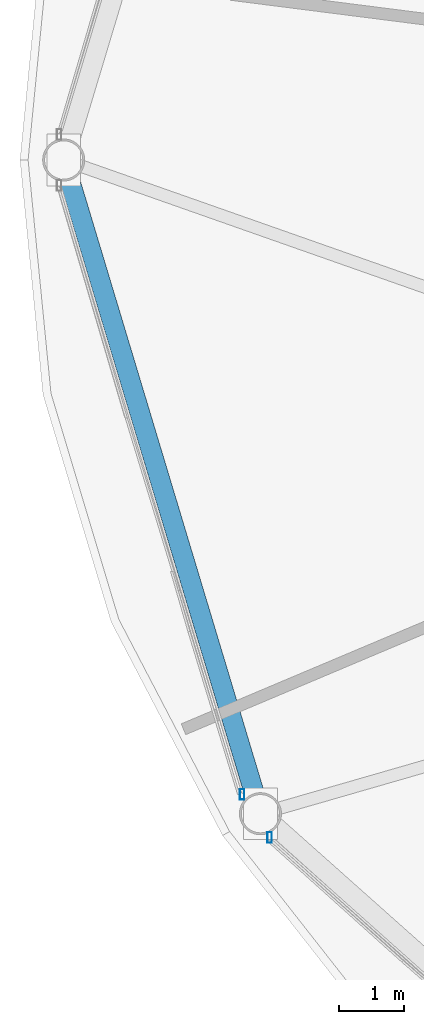
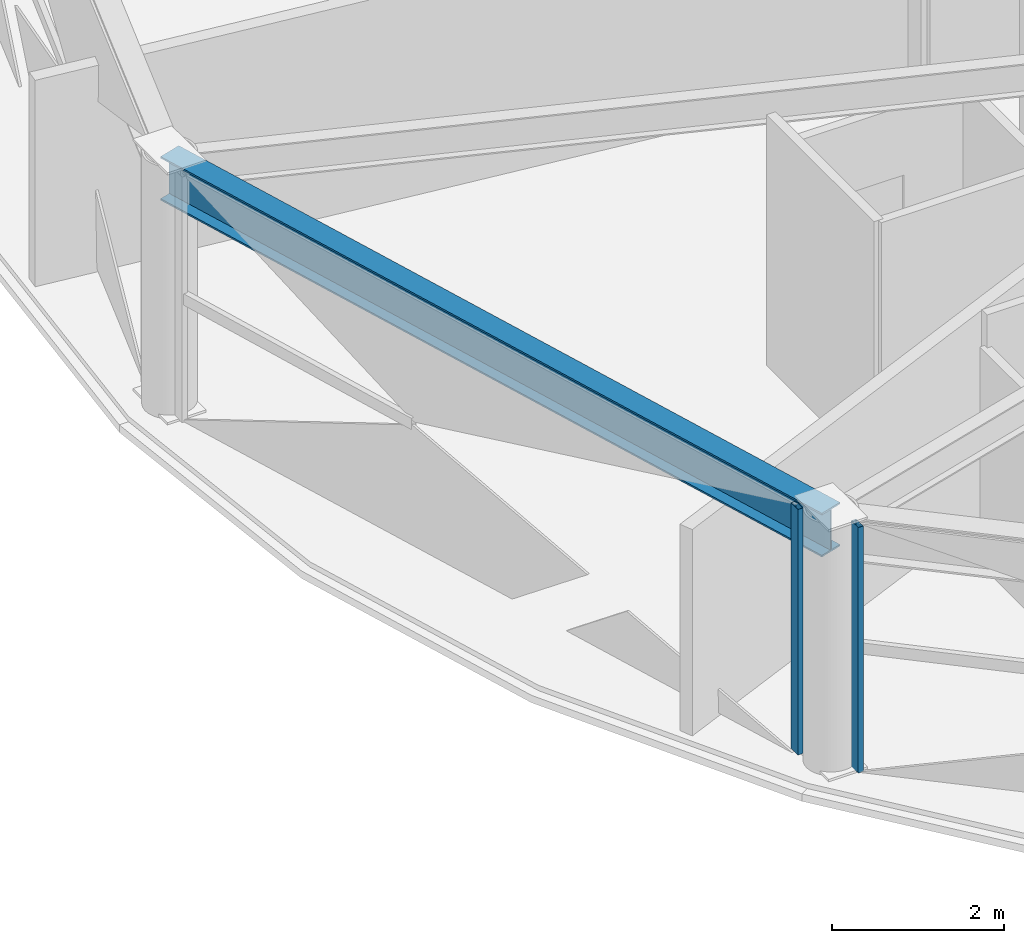
# One storey, part 3 of 30: 2 members, 1 beam, 2 elements without a shape of their own.
"""IFC4 building model written with IfcOpenShell, lengths in metres."""

from ifc_helpers import new_model, si_unit, direction, frame, origin, origin_2d, place, context, subcontext, project, spatial, hollow_rectangle, i_section, extrude, material, layer, layer_set, material_profile, profile_set, type_object, element, aggregate, save


model = new_model("IFC4")

# Units and contexts
model_context = context("Model", 3, precision=1e-05, world=origin(), true_north=direction((0.0, 1.0)))
body_context = subcontext(model_context, "Body", "Model", "MODEL_VIEW")
ifc_project = project(units=[si_unit("LENGTHUNIT", "METRE"), si_unit("AREAUNIT", "SQUARE_METRE"), si_unit("VOLUMEUNIT", "CUBIC_METRE"), si_unit("PLANEANGLEUNIT", "RADIAN"), si_unit("MASSUNIT", "GRAM", prefix="KILO")], contexts=[model_context])

# Site, building, storey
site_placement = place(None, origin())
site = spatial("IfcSite", under=ifc_project, at=site_placement, CompositionType="ELEMENT")
building_placement = place(site_placement, origin())
building = spatial("IfcBuilding", under=site, at=building_placement, Name="Vantalir Tower", CompositionType="ELEMENT")
storey_placement = place(building_placement, frame((0.0, 0.0, 186.14990234375)))
storey = spatial("IfcBuildingStorey", under=building, at=storey_placement, Name="L46", CompositionType="ELEMENT", Elevation=186.14990234375)

# Beam
ifc_material_1 = material(Name="Steel S460", Category="steel")
ifc_material_profile_1 = material_profile(ifc_material_1, i_section(OverallWidth=0.306884765625, OverallDepth=0.6201171875, WebThickness=0.01416015625, FlangeThickness=0.023681640625, at=origin_2d()), Name="Steel S460")
ifc_profile_set_1 = profile_set([ifc_material_profile_1], Name="Steel S460")
beam_type = type_object("IfcBeamType", Name="BM-RG-610x305", PredefinedType="USERDEFINED", material=ifc_profile_set_1)
beam_placement = place(storey_placement, frame((8.823974609375, 25.0, 3.260009765625), z_axis=(0.288208317462, -0.957567734286, 0.0), x_axis=(0.957567734286, 0.288208317462, 0.0)))
element("IfcBeam", 1, at=beam_placement, inside=storey, type_object=beam_type, Name="L46 Circumferential Ring Girder 07", ObjectType="GIRDER", PredefinedType="USERDEFINED", context=body_context, shape_type="SweptSolid", body=[
    extrude(i_section(OverallWidth=0.306884765625, OverallDepth=0.6201171875, WebThickness=0.01416015625, FlangeThickness=0.023681640625, at=origin_2d()), origin(), (0.0, 0.0, 1.0), 10.541259765625),
])

# Curtain wall, member
ifc_material_2 = material(Name="Champagne-silver PVDF aluminium and double-silver Low-E glass", Category="aluminium")
ifc_layer = layer(ifc_material_2, 0.2099609375)
ifc_layer_set = layer_set([ifc_layer], Name="Champagne-silver PVDF aluminium and double-silver Low-E glass")
curtain_wall_type = type_object("IfcCurtainWallType", Name="CW-DIAMOND-Z3", PredefinedType="USERDEFINED", material=ifc_layer_set)
curtain_wall_1_placement = place(storey_placement, origin())
curtain_wall_1 = element("IfcCurtainWall", 2, at=curtain_wall_1_placement, inside=storey, type_object=curtain_wall_type, Name="L46 Quilted Pyramid-Diamond Curtain Wall S07", ObjectType="UNITISED CURTAIN WALL", PredefinedType="USERDEFINED")
ifc_material_3 = material(Name="Champagne-silver PVDF aluminium 6063-T6", Category="aluminium")
ifc_material_profile_2 = material_profile(ifc_material_3, hollow_rectangle(XDim=0.070068359375, YDim=0.1650390625, WallThickness=0.00390625, at=origin_2d()), Name="Champagne-silver PVDF aluminium 6063-T6")
ifc_profile_set_2 = profile_set([ifc_material_profile_2], Name="Champagne-silver PVDF aluminium 6063-T6")
member_type = type_object("IfcMemberType", Name="CWM-165x70", PredefinedType="MULLION", material=ifc_profile_set_2)
member_1_placement = place(storey_placement, frame((11.5791015625, 15.2041015625, 0.045166015625), z_axis=(0.0, 0.0, 1.0), x_axis=(1.0, 0.0, 0.0)))
member_1 = element("IfcMember", 3, at=member_1_placement, type_object=member_type, Name="CW-L46-S07 Mullion 2", PredefinedType="MULLION", context=body_context, shape_type="SweptSolid", body=[
    extrude(hollow_rectangle(XDim=0.070068359375, YDim=0.1650390625, WallThickness=0.00390625, at=origin_2d()), origin(), (0.0, 0.0, 1.0), 3.47998046875),
])
aggregate(curtain_wall_1, [member_1])

curtain_wall_2_placement = place(storey_placement, origin())
curtain_wall_2 = element("IfcCurtainWall", 4, at=curtain_wall_2_placement, inside=storey, type_object=curtain_wall_type, Name="L46 Quilted Pyramid-Diamond Curtain Wall S08", ObjectType="UNITISED CURTAIN WALL", PredefinedType="USERDEFINED")
member_2_placement = place(storey_placement, frame((12.0029296875, 14.5380859375, 0.045166015625), z_axis=(0.0, 0.0, 1.0), x_axis=(1.0, 0.0, 0.0)))
member_2 = element("IfcMember", 5, at=member_2_placement, type_object=member_type, Name="CW-L46-S08 Mullion 1", PredefinedType="MULLION", context=body_context, shape_type="SweptSolid", body=[
    extrude(hollow_rectangle(XDim=0.070068359375, YDim=0.1650390625, WallThickness=0.00390625, at=origin_2d()), origin(), (0.0, 0.0, 1.0), 3.47998046875),
])
aggregate(curtain_wall_2, [member_2])

save(model, "model.ifc")
